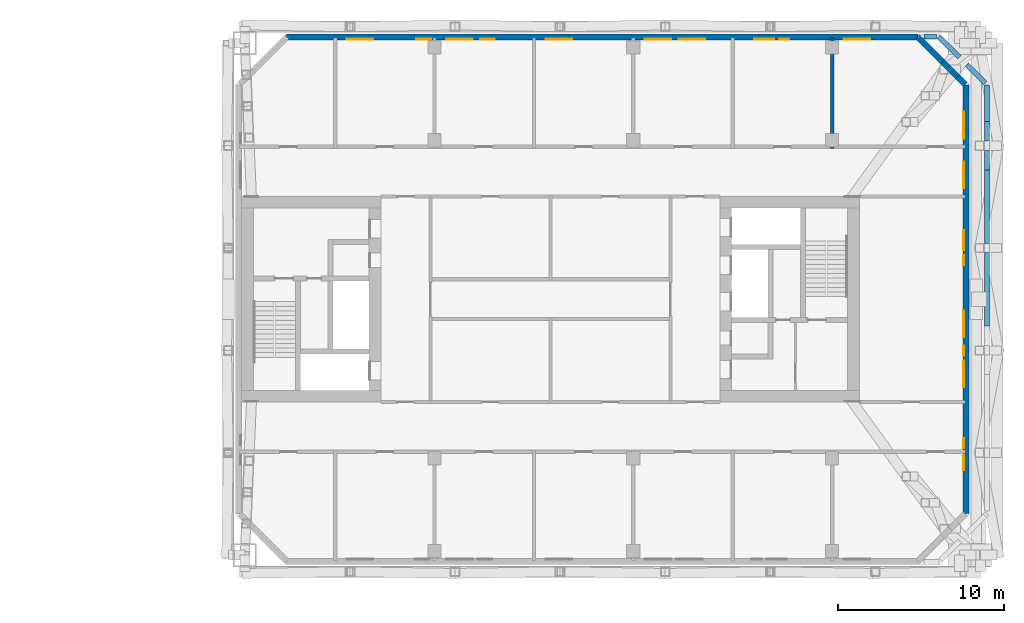
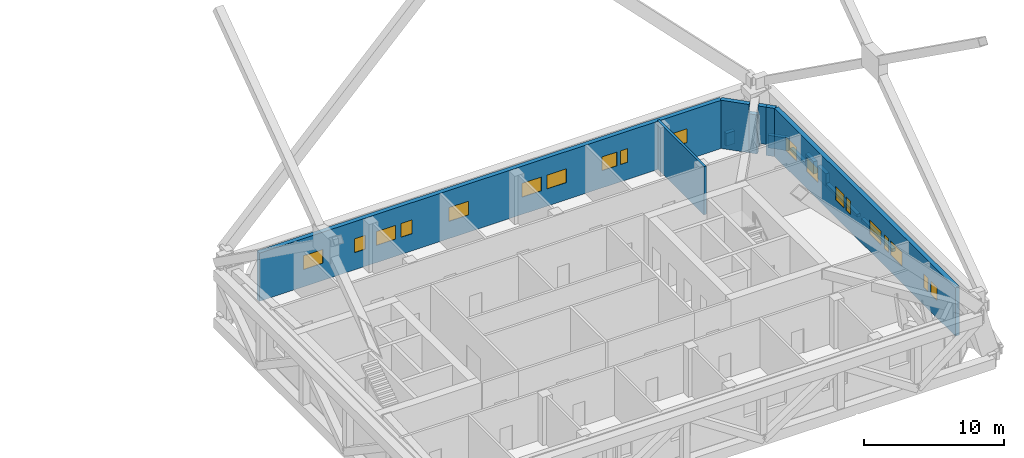
# One storey, part 14 of 20: 19 windows, 15 walls, 19 openings.
"""IFC4 building model written with IfcOpenShell, lengths in metres."""

from ifc_helpers import new_model, si_unit, direction, frame, frame_2d, origin, place, context, subcontext, project, spatial, rectangle, extrude, material, layer, layer_set, type_object, element, fill, save


model = new_model("IFC4")

# Units and contexts
model_context = context("Model", 3, precision=1e-05, world=origin(), true_north=direction((0.0, 1.0)))
body_context = subcontext(model_context, "Body", "Model", "MODEL_VIEW")
ifc_project = project(units=[si_unit("LENGTHUNIT", "METRE"), si_unit("AREAUNIT", "SQUARE_METRE"), si_unit("VOLUMEUNIT", "CUBIC_METRE"), si_unit("PLANEANGLEUNIT", "RADIAN"), si_unit("MASSUNIT", "GRAM", prefix="KILO")], contexts=[model_context])

# Site, building, storey
site_placement = place(None, origin())
site = spatial("IfcSite", under=ifc_project, at=site_placement, CompositionType="ELEMENT")
building_placement = place(site_placement, origin())
building = spatial("IfcBuilding", under=site, at=building_placement, Name="Tuart Gate Housing", CompositionType="ELEMENT")
storey_placement = place(building_placement, frame((0.0, 0.0, 62.89990234375)))
storey = spatial("IfcBuildingStorey", under=building, at=storey_placement, Name="L17", CompositionType="ELEMENT", Elevation=62.89990234375)

# Walls
ifc_material_1 = material(Name="Brick", Category="masonry")
ifc_layer_1 = layer(ifc_material_1, 0.300048828125)
ifc_layer_set_1 = layer_set([ifc_layer_1], Name="Brick parapet wall 300")
wall_type_1 = type_object("IfcWallType", Name="Brick parapet wall 300", PredefinedType="PARAPET", material=ifc_layer_set_1)
for number, where, z_axis, x_axis, name in (
    (1, (176.35009765625, 68.37890625, 0.0), (0.0, 0.0, 1.0), (0.0, 1.0, 0.0), "Roof parapet B 3"),
    (2, (176.35009765625, 73.373046875, 0.0), (0.0, 0.0, 1.0), (0.0, 1.0, 0.0), "Roof parapet B 3"),
):
    element("IfcWall", number, at=place(storey_placement, frame(where, z_axis=z_axis, x_axis=x_axis)), inside=storey, type_object=wall_type_1, Name=name, PredefinedType="PARAPET", context=body_context, shape_type="SweptSolid", body=[
        extrude(rectangle(XDim=4.427978515625, YDim=0.300048828125, at=frame_2d((2.2138671875, 0.0))), origin(), (0.0, 0.0, 1.0), 0.260009765625),
    ])
for number, where, z_axis, x_axis, name in (
    (3, (176.35009765625, 77.801025390625, 0.0), (0.0, 0.0, 1.0), (0.0, 1.0, 0.0), "Roof parapet B 3"),
    (4, (176.35009765625, 79.552978515625, 0.0), (0.0, 0.0, 1.0), (0.0, 1.0, 0.0), "Roof parapet B 3"),
):
    element("IfcWall", number, at=place(storey_placement, frame(where, z_axis=z_axis, x_axis=x_axis)), inside=storey, type_object=wall_type_1, Name=name, PredefinedType="PARAPET", context=body_context, shape_type="SweptSolid", body=[
        extrude(rectangle(XDim=1.18603515625, YDim=0.300048828125, at=frame_2d((0.593017578125, 0.0))), origin(), (0.0, 0.0, 1.0), 1.10009765625),
    ])
wall_1_placement = place(storey_placement, frame((176.35009765625, 80.739013671875, 0.0), z_axis=(0.0, 0.0, 1.0), x_axis=(0.0, 1.0, 0.0)))
element("IfcWall", 5, at=wall_1_placement, inside=storey, type_object=wall_type_1, Name="Roof parapet B 3", PredefinedType="PARAPET", context=body_context, shape_type="SweptSolid", body=[
    extrude(rectangle(XDim=2.198974609375, YDim=0.300048828125, at=frame_2d((1.099609375, 0.0))), origin(), (0.0, 0.0, 1.0), 0.260009765625),
])
wall_2_placement = place(storey_placement, frame((176.242431640625, 83.04541015625, 0.0), z_axis=(0.0, 0.0, 1.0), x_axis=(-0.707106781187, 0.707106781187, 0.0)))
element("IfcWall", 6, at=wall_2_placement, inside=storey, type_object=wall_type_1, Name="Roof parapet B 4", PredefinedType="PARAPET", context=body_context, shape_type="SweptSolid", body=[
    extrude(rectangle(XDim=1.55810546875, YDim=0.300048828125, at=frame_2d((0.779052734375, 0.0))), origin(), (0.0, 0.0, 1.0), 1.10009765625),
])
wall_3_placement = place(storey_placement, frame((174.6923828125, 84.595458984375, 0.0), z_axis=(0.0, 0.0, 1.0), x_axis=(-0.707037973054, 0.707175582624, 0.0)))
element("IfcWall", 7, at=wall_3_placement, inside=storey, type_object=wall_type_1, Name="Roof parapet B 4", PredefinedType="PARAPET", context=body_context, shape_type="SweptSolid", body=[
    extrude(rectangle(XDim=1.774169921875, YDim=0.300048828125, at=frame_2d((0.88720703125, 0.0))), origin(), (0.0, 0.0, 1.0), 1.10009765625),
])
wall_4_placement = place(storey_placement, frame((173.285888671875, 85.85009765625, 0.0), z_axis=(0.0, 0.0, 1.0), x_axis=(-1.0, 0.0, 0.0)))
element("IfcWall", 8, at=wall_4_placement, inside=storey, type_object=wall_type_1, Name="Roof parapet B 5", PredefinedType="PARAPET", context=body_context, shape_type="SweptSolid", body=[
    extrude(rectangle(XDim=0.73583984375, YDim=0.300048828125, at=frame_2d((0.367919921875, 0.0))), origin(), (0.0, 0.0, 1.0), 1.10009765625),
])

# Wall, openings, windows
ifc_material_2 = material(Name="Brick", Category="masonry")
ifc_layer_2 = layer(ifc_material_2, 0.360107421875)
ifc_layer_set_2 = layer_set([ifc_layer_2], Name="Brick pier and spandrel wall 360")
wall_type_2 = type_object("IfcWallType", Name="Brick pier and spandrel wall 360", PredefinedType="STANDARD", material=ifc_layer_set_2)
wall_5_placement = place(storey_placement, frame((175.070068359375, 57.07470703125, 0.0), z_axis=(0.0, 0.0, 1.0), x_axis=(0.0, 1.0, 0.0)))
wall_5 = element("IfcWall", 9, at=wall_5_placement, inside=storey, type_object=wall_type_2, Name="External wall B-E L17", PredefinedType="STANDARD", context=body_context, shape_type="SweptSolid", body=[
    extrude(rectangle(XDim=25.850830078125, YDim=0.360107421875, at=frame_2d((12.92529296875, 0.0))), origin(), (0.0, 0.0, 1.0), 4.2001953125),
])
opening_1_placement = place(wall_5_placement, frame((2.60009765625, 0.0, 1.5)))
opening_1 = element("IfcOpeningElement", 10, at=opening_1_placement, cuts=wall_5, Name="Opening W3B", PredefinedType="OPENING", context=body_context, shape_type="SweptSolid", body=[
    extrude(rectangle(XDim=0.89990234375, YDim=1.199951171875, at=frame_2d((0.449951171875, 0.60009765625))), frame((0.0, 0.18994140625, 0.0), z_axis=(0.0, -1.0, 0.0), x_axis=(1.0, 0.0, 0.0)), (0.0, 0.0, 1.0), 0.380126953125),
])
opening_2_placement = place(wall_5_placement, frame((3.92529296875, 0.0, 1.5)))
opening_2 = element("IfcOpeningElement", 11, at=opening_2_placement, cuts=wall_5, Name="Opening W3C", PredefinedType="OPENING", context=body_context, shape_type="SweptSolid", body=[
    extrude(rectangle(XDim=0.60009765625, YDim=1.199951171875, at=frame_2d((0.300048828125, 0.60009765625))), frame((0.0, 0.18994140625, 0.0), z_axis=(0.0, -1.0, 0.0), x_axis=(1.0, 0.0, 0.0)), (0.0, 0.0, 1.0), 0.380126953125),
])
opening_3_placement = place(wall_5_placement, frame((7.62548828125, 0.0, 1.5)))
opening_3 = element("IfcOpeningElement", 12, at=opening_3_placement, cuts=wall_5, Name="Opening W3", PredefinedType="OPENING", context=body_context, shape_type="SweptSolid", body=[
    extrude(rectangle(XDim=1.60009765625, YDim=1.199951171875, at=frame_2d((0.800048828125, 0.60009765625))), frame((0.0, 0.18994140625, 0.0), z_axis=(0.0, -1.0, 0.0), x_axis=(1.0, 0.0, 0.0)), (0.0, 0.0, 1.0), 0.380126953125),
])
opening_4_placement = place(wall_5_placement, frame((10.62548828125, 0.0, 1.5)))
opening_4 = element("IfcOpeningElement", 13, at=opening_4_placement, cuts=wall_5, Name="Opening W3", PredefinedType="OPENING", context=body_context, shape_type="SweptSolid", body=[
    extrude(rectangle(XDim=1.60009765625, YDim=1.199951171875, at=frame_2d((0.800048828125, 0.60009765625))), frame((0.0, 0.18994140625, 0.0), z_axis=(0.0, -1.0, 0.0), x_axis=(1.0, 0.0, 0.0)), (0.0, 0.0, 1.0), 0.380126953125),
])
opening_5_placement = place(wall_5_placement, frame((9.525390625, 0.0, 1.5)))
opening_5 = element("IfcOpeningElement", 14, at=opening_5_placement, cuts=wall_5, Name="Opening W3C", PredefinedType="OPENING", context=body_context, shape_type="SweptSolid", body=[
    extrude(rectangle(XDim=0.60009765625, YDim=1.199951171875, at=frame_2d((0.300048828125, 0.60009765625))), frame((0.0, 0.18994140625, 0.0), z_axis=(0.0, -1.0, 0.0), x_axis=(1.0, 0.0, 0.0)), (0.0, 0.0, 1.0), 0.380126953125),
])
opening_6_placement = place(wall_5_placement, frame((14.975341796875, 0.0, 1.5)))
opening_6 = element("IfcOpeningElement", 15, at=opening_6_placement, cuts=wall_5, Name="Opening W3C", PredefinedType="OPENING", context=body_context, shape_type="SweptSolid", body=[
    extrude(rectangle(XDim=0.60009765625, YDim=1.199951171875, at=frame_2d((0.300048828125, 0.60009765625))), frame((0.0, 0.18994140625, 0.0), z_axis=(0.0, -1.0, 0.0), x_axis=(1.0, 0.0, 0.0)), (0.0, 0.0, 1.0), 0.380126953125),
])
opening_7_placement = place(wall_5_placement, frame((19.62548828125, 0.0, 1.5)))
opening_7 = element("IfcOpeningElement", 16, at=opening_7_placement, cuts=wall_5, Name="Opening W3", PredefinedType="OPENING", context=body_context, shape_type="SweptSolid", body=[
    extrude(rectangle(XDim=1.60009765625, YDim=1.199951171875, at=frame_2d((0.800048828125, 0.60009765625))), frame((0.0, 0.18994140625, 0.0), z_axis=(0.0, -1.0, 0.0), x_axis=(1.0, 0.0, 0.0)), (0.0, 0.0, 1.0), 0.380126953125),
])
opening_8_placement = place(wall_5_placement, frame((22.62548828125, 0.0, 1.5)))
opening_8 = element("IfcOpeningElement", 17, at=opening_8_placement, cuts=wall_5, Name="Opening W3", PredefinedType="OPENING", context=body_context, shape_type="SweptSolid", body=[
    extrude(rectangle(XDim=1.60009765625, YDim=1.199951171875, at=frame_2d((0.800048828125, 0.60009765625))), frame((0.0, 0.18994140625, 0.0), z_axis=(0.0, -1.0, 0.0), x_axis=(1.0, 0.0, 0.0)), (0.0, 0.0, 1.0), 0.380126953125),
])
opening_9_placement = place(wall_5_placement, frame((15.87548828125, 0.0, 1.5)))
opening_9 = element("IfcOpeningElement", 18, at=opening_9_placement, cuts=wall_5, Name="Opening W3A", PredefinedType="OPENING", context=body_context, shape_type="SweptSolid", body=[
    extrude(rectangle(XDim=1.199951171875, YDim=1.199951171875, at=frame_2d((0.60009765625, 0.60009765625))), frame((0.0, 0.18994140625, 0.0), z_axis=(0.0, -1.0, 0.0), x_axis=(1.0, 0.0, 0.0)), (0.0, 0.0, 1.0), 0.380126953125),
])
ifc_material_3 = material(Name="Aluminium louvre blades", Category="aluminium")
window_type_1 = type_object("IfcWindowType", Name="Louvre window 1200 x 1200", PartitioningType="DOUBLE_PANEL_HORIZONTAL", PredefinedType="WINDOW", material=ifc_material_3)
window_1_placement = place(opening_9_placement, origin())
window_1 = element("IfcWindow", 19, at=window_1_placement, inside=storey, type_object=window_type_1, Name="Louvre W3A", OverallHeight=1.199951171875, OverallWidth=1.199951171875, PartitioningType="DOUBLE_PANEL_HORIZONTAL", PredefinedType="WINDOW", context=body_context, shape_type="SweptSolid", body=[
    extrude(rectangle(XDim=1.199951171875, YDim=1.199951171875, at=frame_2d((0.60009765625, 0.60009765625))), frame((0.0, 0.150146484375, 0.0), z_axis=(0.0, -1.0, 0.0), x_axis=(1.0, 0.0, 0.0)), (0.0, 0.0, 1.0), 0.06005859375),
])
fill(opening_9, window_1)
ifc_material_4 = material(Name="Aluminium louvre blades", Category="aluminium")
window_type_2 = type_object("IfcWindowType", Name="Louvre window 1600 x 1200", PartitioningType="DOUBLE_PANEL_HORIZONTAL", PredefinedType="WINDOW", material=ifc_material_4)
window_2_placement = place(opening_3_placement, origin())
window_2 = element("IfcWindow", 20, at=window_2_placement, inside=storey, type_object=window_type_2, Name="Louvre W3", OverallHeight=1.199951171875, OverallWidth=1.60009765625, PartitioningType="DOUBLE_PANEL_HORIZONTAL", PredefinedType="WINDOW", context=body_context, shape_type="SweptSolid", body=[
    extrude(rectangle(XDim=1.60009765625, YDim=1.199951171875, at=frame_2d((0.800048828125, 0.60009765625))), frame((0.0, 0.150146484375, 0.0), z_axis=(0.0, -1.0, 0.0), x_axis=(1.0, 0.0, 0.0)), (0.0, 0.0, 1.0), 0.06005859375),
])
fill(opening_3, window_2)
window_3_placement = place(opening_4_placement, origin())
window_3 = element("IfcWindow", 21, at=window_3_placement, inside=storey, type_object=window_type_2, Name="Louvre W3", OverallHeight=1.199951171875, OverallWidth=1.60009765625, PartitioningType="DOUBLE_PANEL_HORIZONTAL", PredefinedType="WINDOW", context=body_context, shape_type="SweptSolid", body=[
    extrude(rectangle(XDim=1.60009765625, YDim=1.199951171875, at=frame_2d((0.800048828125, 0.60009765625))), frame((0.0, 0.150146484375, 0.0), z_axis=(0.0, -1.0, 0.0), x_axis=(1.0, 0.0, 0.0)), (0.0, 0.0, 1.0), 0.06005859375),
])
fill(opening_4, window_3)
window_4_placement = place(opening_7_placement, origin())
window_4 = element("IfcWindow", 22, at=window_4_placement, inside=storey, type_object=window_type_2, Name="Louvre W3", OverallHeight=1.199951171875, OverallWidth=1.60009765625, PartitioningType="DOUBLE_PANEL_HORIZONTAL", PredefinedType="WINDOW", context=body_context, shape_type="SweptSolid", body=[
    extrude(rectangle(XDim=1.60009765625, YDim=1.199951171875, at=frame_2d((0.800048828125, 0.60009765625))), frame((0.0, 0.150146484375, 0.0), z_axis=(0.0, -1.0, 0.0), x_axis=(1.0, 0.0, 0.0)), (0.0, 0.0, 1.0), 0.06005859375),
])
fill(opening_7, window_4)
window_5_placement = place(opening_8_placement, origin())
window_5 = element("IfcWindow", 23, at=window_5_placement, inside=storey, type_object=window_type_2, Name="Louvre W3", OverallHeight=1.199951171875, OverallWidth=1.60009765625, PartitioningType="DOUBLE_PANEL_HORIZONTAL", PredefinedType="WINDOW", context=body_context, shape_type="SweptSolid", body=[
    extrude(rectangle(XDim=1.60009765625, YDim=1.199951171875, at=frame_2d((0.800048828125, 0.60009765625))), frame((0.0, 0.150146484375, 0.0), z_axis=(0.0, -1.0, 0.0), x_axis=(1.0, 0.0, 0.0)), (0.0, 0.0, 1.0), 0.06005859375),
])
fill(opening_8, window_5)
ifc_material_5 = material(Name="Aluminium louvre blades", Category="aluminium")
window_type_3 = type_object("IfcWindowType", Name="Louvre window 600 x 1200", PartitioningType="DOUBLE_PANEL_HORIZONTAL", PredefinedType="WINDOW", material=ifc_material_5)
window_6_placement = place(opening_2_placement, origin())
window_6 = element("IfcWindow", 24, at=window_6_placement, inside=storey, type_object=window_type_3, Name="Louvre W3C", OverallHeight=1.199951171875, OverallWidth=0.60009765625, PartitioningType="DOUBLE_PANEL_HORIZONTAL", PredefinedType="WINDOW", context=body_context, shape_type="SweptSolid", body=[
    extrude(rectangle(XDim=0.60009765625, YDim=1.199951171875, at=frame_2d((0.300048828125, 0.60009765625))), frame((0.0, 0.150146484375, 0.0), z_axis=(0.0, -1.0, 0.0), x_axis=(1.0, 0.0, 0.0)), (0.0, 0.0, 1.0), 0.06005859375),
])
fill(opening_2, window_6)
window_7_placement = place(opening_5_placement, origin())
window_7 = element("IfcWindow", 25, at=window_7_placement, inside=storey, type_object=window_type_3, Name="Louvre W3C", OverallHeight=1.199951171875, OverallWidth=0.60009765625, PartitioningType="DOUBLE_PANEL_HORIZONTAL", PredefinedType="WINDOW", context=body_context, shape_type="SweptSolid", body=[
    extrude(rectangle(XDim=0.60009765625, YDim=1.199951171875, at=frame_2d((0.300048828125, 0.60009765625))), frame((0.0, 0.150146484375, 0.0), z_axis=(0.0, -1.0, 0.0), x_axis=(1.0, 0.0, 0.0)), (0.0, 0.0, 1.0), 0.06005859375),
])
fill(opening_5, window_7)
window_8_placement = place(opening_6_placement, origin())
window_8 = element("IfcWindow", 26, at=window_8_placement, inside=storey, type_object=window_type_3, Name="Louvre W3C", OverallHeight=1.199951171875, OverallWidth=0.60009765625, PartitioningType="DOUBLE_PANEL_HORIZONTAL", PredefinedType="WINDOW", context=body_context, shape_type="SweptSolid", body=[
    extrude(rectangle(XDim=0.60009765625, YDim=1.199951171875, at=frame_2d((0.300048828125, 0.60009765625))), frame((0.0, 0.150146484375, 0.0), z_axis=(0.0, -1.0, 0.0), x_axis=(1.0, 0.0, 0.0)), (0.0, 0.0, 1.0), 0.06005859375),
])
fill(opening_6, window_8)
ifc_material_6 = material(Name="Aluminium louvre blades", Category="aluminium")
window_type_4 = type_object("IfcWindowType", Name="Louvre window 900 x 1200", PartitioningType="DOUBLE_PANEL_HORIZONTAL", PredefinedType="WINDOW", material=ifc_material_6)
window_9_placement = place(opening_1_placement, origin())
window_9 = element("IfcWindow", 27, at=window_9_placement, inside=storey, type_object=window_type_4, Name="Louvre W3B", OverallHeight=1.199951171875, OverallWidth=0.89990234375, PartitioningType="DOUBLE_PANEL_HORIZONTAL", PredefinedType="WINDOW", context=body_context, shape_type="SweptSolid", body=[
    extrude(rectangle(XDim=0.89990234375, YDim=1.199951171875, at=frame_2d((0.449951171875, 0.60009765625))), frame((0.0, 0.150146484375, 0.0), z_axis=(0.0, -1.0, 0.0), x_axis=(1.0, 0.0, 0.0)), (0.0, 0.0, 1.0), 0.06005859375),
])
fill(opening_1, window_9)

# Walls
wall_6_placement = place(storey_placement, frame((175.03466796875, 82.960693359375, 0.0), z_axis=(0.0, 0.0, 1.0), x_axis=(-0.707106781187, 0.707106781187, 0.0)))
element("IfcWall", 28, at=wall_6_placement, inside=storey, type_object=wall_type_2, Name="External wall B-NE L17", PredefinedType="STANDARD", context=body_context, shape_type="SweptSolid", body=[
    extrude(rectangle(XDim=0.66943359375, YDim=0.360107421875, at=frame_2d((0.334716796875, 0.0))), origin(), (0.0, 0.0, 1.0), 4.2001953125),
])
wall_7_placement = place(storey_placement, frame((174.561279296875, 83.43408203125, 0.953125), z_axis=(0.0, 0.0, 1.0), x_axis=(-0.706900055054, 0.707313446899, 0.0)))
element("IfcWall", 29, at=wall_7_placement, inside=storey, type_object=wall_type_2, Name="External wall B-NE L17", PredefinedType="STANDARD", context=body_context, shape_type="SweptSolid", body=[
    extrude(rectangle(XDim=0.590576171875, YDim=0.360107421875, at=frame_2d((0.29541015625, 0.0))), origin(), (0.0, 0.0, 1.0), 3.2470703125),
])
wall_8_placement = place(storey_placement, frame((174.109619140625, 83.8857421875, 0.0), z_axis=(0.0, 0.0, 1.0), x_axis=(-0.707106781187, 0.707106781187, 0.0)))
element("IfcWall", 30, at=wall_8_placement, inside=storey, type_object=wall_type_2, Name="External wall B-NE L17", PredefinedType="STANDARD", context=body_context, shape_type="SweptSolid", body=[
    extrude(rectangle(XDim=0.61328125, YDim=0.360107421875, at=frame_2d((0.306640625, 0.0))), origin(), (0.0, 0.0, 1.0), 3.397216796875),
])
wall_9_placement = place(storey_placement, frame((173.676025390625, 84.3193359375, 0.0), z_axis=(0.0, 0.0, 1.0), x_axis=(-0.707106781187, 0.707106781187, 0.0)))
element("IfcWall", 31, at=wall_9_placement, inside=storey, type_object=wall_type_2, Name="External wall B-NE L17", PredefinedType="STANDARD", context=body_context, shape_type="SweptSolid", body=[
    extrude(rectangle(XDim=2.122314453125, YDim=0.360107421875, at=frame_2d((1.06103515625, 0.0))), origin(), (0.0, 0.0, 1.0), 4.2001953125),
])

# Wall, openings, windows
wall_10_placement = place(storey_placement, frame((172.17529296875, 85.820068359375, 0.0), z_axis=(0.0, 0.0, 1.0), x_axis=(-1.0, 0.0, 0.0)))
wall_10 = element("IfcWall", 32, at=wall_10_placement, inside=storey, type_object=wall_type_2, Name="External wall B-N L17", PredefinedType="STANDARD", context=body_context, shape_type="SweptSolid", body=[
    extrude(rectangle(XDim=38.100830078125, YDim=0.360107421875, at=frame_2d((19.05029296875, 0.0))), origin(), (0.0, 0.0, 1.0), 4.2001953125),
])
opening_10_placement = place(wall_10_placement, frame((2.87548828125, 0.0, 1.5)))
opening_10 = element("IfcOpeningElement", 33, at=opening_10_placement, cuts=wall_10, Name="Opening W3", PredefinedType="OPENING", context=body_context, shape_type="SweptSolid", body=[
    extrude(rectangle(XDim=1.60009765625, YDim=1.199951171875, at=frame_2d((0.800048828125, 0.60009765625))), frame((0.0, 0.18994140625, 0.0), z_axis=(0.0, -1.0, 0.0), x_axis=(1.0, 0.0, 0.0)), (0.0, 0.0, 1.0), 0.380126953125),
])
opening_11_placement = place(wall_10_placement, frame((7.775390625, 0.0, 1.5)))
opening_11 = element("IfcOpeningElement", 34, at=opening_11_placement, cuts=wall_10, Name="Opening W3C", PredefinedType="OPENING", context=body_context, shape_type="SweptSolid", body=[
    extrude(rectangle(XDim=0.60009765625, YDim=1.199951171875, at=frame_2d((0.300048828125, 0.60009765625))), frame((0.0, 0.18994140625, 0.0), z_axis=(0.0, -1.0, 0.0), x_axis=(1.0, 0.0, 0.0)), (0.0, 0.0, 1.0), 0.380126953125),
])
opening_12_placement = place(wall_10_placement, frame((8.67529296875, 0.0, 1.5)))
opening_12 = element("IfcOpeningElement", 35, at=opening_12_placement, cuts=wall_10, Name="Opening W3A", PredefinedType="OPENING", context=body_context, shape_type="SweptSolid", body=[
    extrude(rectangle(XDim=1.199951171875, YDim=1.199951171875, at=frame_2d((0.60009765625, 0.60009765625))), frame((0.0, 0.18994140625, 0.0), z_axis=(0.0, -1.0, 0.0), x_axis=(1.0, 0.0, 0.0)), (0.0, 0.0, 1.0), 0.380126953125),
])
opening_13_placement = place(wall_10_placement, frame((12.825439453125, 0.0, 1.5)))
opening_13 = element("IfcOpeningElement", 36, at=opening_13_placement, cuts=wall_10, Name="Opening W3", PredefinedType="OPENING", context=body_context, shape_type="SweptSolid", body=[
    extrude(rectangle(XDim=1.60009765625, YDim=1.199951171875, at=frame_2d((0.800048828125, 0.60009765625))), frame((0.0, 0.18994140625, 0.0), z_axis=(0.0, -1.0, 0.0), x_axis=(1.0, 0.0, 0.0)), (0.0, 0.0, 1.0), 0.380126953125),
])
opening_14_placement = place(wall_10_placement, frame((14.87548828125, 0.0, 1.5)))
opening_14 = element("IfcOpeningElement", 37, at=opening_14_placement, cuts=wall_10, Name="Opening W3", PredefinedType="OPENING", context=body_context, shape_type="SweptSolid", body=[
    extrude(rectangle(XDim=1.60009765625, YDim=1.199951171875, at=frame_2d((0.800048828125, 0.60009765625))), frame((0.0, 0.18994140625, 0.0), z_axis=(0.0, -1.0, 0.0), x_axis=(1.0, 0.0, 0.0)), (0.0, 0.0, 1.0), 0.380126953125),
])
opening_15_placement = place(wall_10_placement, frame((20.87548828125, 0.0, 1.5)))
opening_15 = element("IfcOpeningElement", 38, at=opening_15_placement, cuts=wall_10, Name="Opening W3", PredefinedType="OPENING", context=body_context, shape_type="SweptSolid", body=[
    extrude(rectangle(XDim=1.60009765625, YDim=1.199951171875, at=frame_2d((0.800048828125, 0.60009765625))), frame((0.0, 0.18994140625, 0.0), z_axis=(0.0, -1.0, 0.0), x_axis=(1.0, 0.0, 0.0)), (0.0, 0.0, 1.0), 0.380126953125),
])
opening_16_placement = place(wall_10_placement, frame((25.525390625, 0.0, 1.5)))
opening_16 = element("IfcOpeningElement", 39, at=opening_16_placement, cuts=wall_10, Name="Opening W3B", PredefinedType="OPENING", context=body_context, shape_type="SweptSolid", body=[
    extrude(rectangle(XDim=0.89990234375, YDim=1.199951171875, at=frame_2d((0.449951171875, 0.60009765625))), frame((0.0, 0.18994140625, 0.0), z_axis=(0.0, -1.0, 0.0), x_axis=(1.0, 0.0, 0.0)), (0.0, 0.0, 1.0), 0.380126953125),
])
opening_17_placement = place(wall_10_placement, frame((26.87548828125, 0.0, 1.5)))
opening_17 = element("IfcOpeningElement", 40, at=opening_17_placement, cuts=wall_10, Name="Opening W3", PredefinedType="OPENING", context=body_context, shape_type="SweptSolid", body=[
    extrude(rectangle(XDim=1.60009765625, YDim=1.199951171875, at=frame_2d((0.800048828125, 0.60009765625))), frame((0.0, 0.18994140625, 0.0), z_axis=(0.0, -1.0, 0.0), x_axis=(1.0, 0.0, 0.0)), (0.0, 0.0, 1.0), 0.380126953125),
])
opening_18_placement = place(wall_10_placement, frame((29.37548828125, 0.0, 1.5)))
opening_18 = element("IfcOpeningElement", 41, at=opening_18_placement, cuts=wall_10, Name="Opening W3B", PredefinedType="OPENING", context=body_context, shape_type="SweptSolid", body=[
    extrude(rectangle(XDim=0.89990234375, YDim=1.199951171875, at=frame_2d((0.449951171875, 0.60009765625))), frame((0.0, 0.18994140625, 0.0), z_axis=(0.0, -1.0, 0.0), x_axis=(1.0, 0.0, 0.0)), (0.0, 0.0, 1.0), 0.380126953125),
])
opening_19_placement = place(wall_10_placement, frame((32.87548828125, 0.0, 1.5)))
opening_19 = element("IfcOpeningElement", 42, at=opening_19_placement, cuts=wall_10, Name="Opening W3", PredefinedType="OPENING", context=body_context, shape_type="SweptSolid", body=[
    extrude(rectangle(XDim=1.60009765625, YDim=1.199951171875, at=frame_2d((0.800048828125, 0.60009765625))), frame((0.0, 0.18994140625, 0.0), z_axis=(0.0, -1.0, 0.0), x_axis=(1.0, 0.0, 0.0)), (0.0, 0.0, 1.0), 0.380126953125),
])
window_10_placement = place(opening_12_placement, origin())
window_10 = element("IfcWindow", 43, at=window_10_placement, inside=storey, type_object=window_type_1, Name="Louvre W3A", OverallHeight=1.199951171875, OverallWidth=1.199951171875, PartitioningType="DOUBLE_PANEL_HORIZONTAL", PredefinedType="WINDOW", context=body_context, shape_type="SweptSolid", body=[
    extrude(rectangle(XDim=1.199951171875, YDim=1.199951171875, at=frame_2d((0.60009765625, 0.60009765625))), frame((0.0, 0.150146484375, 0.0), z_axis=(0.0, -1.0, 0.0), x_axis=(1.0, 0.0, 0.0)), (0.0, 0.0, 1.0), 0.06005859375),
])
fill(opening_12, window_10)
window_11_placement = place(opening_10_placement, origin())
window_11 = element("IfcWindow", 44, at=window_11_placement, inside=storey, type_object=window_type_2, Name="Louvre W3", OverallHeight=1.199951171875, OverallWidth=1.60009765625, PartitioningType="DOUBLE_PANEL_HORIZONTAL", PredefinedType="WINDOW", context=body_context, shape_type="SweptSolid", body=[
    extrude(rectangle(XDim=1.60009765625, YDim=1.199951171875, at=frame_2d((0.800048828125, 0.60009765625))), frame((0.0, 0.150146484375, 0.0), z_axis=(0.0, -1.0, 0.0), x_axis=(1.0, 0.0, 0.0)), (0.0, 0.0, 1.0), 0.06005859375),
])
fill(opening_10, window_11)
window_12_placement = place(opening_13_placement, origin())
window_12 = element("IfcWindow", 45, at=window_12_placement, inside=storey, type_object=window_type_2, Name="Louvre W3", OverallHeight=1.199951171875, OverallWidth=1.60009765625, PartitioningType="DOUBLE_PANEL_HORIZONTAL", PredefinedType="WINDOW", context=body_context, shape_type="SweptSolid", body=[
    extrude(rectangle(XDim=1.60009765625, YDim=1.199951171875, at=frame_2d((0.800048828125, 0.60009765625))), frame((0.0, 0.150146484375, 0.0), z_axis=(0.0, -1.0, 0.0), x_axis=(1.0, 0.0, 0.0)), (0.0, 0.0, 1.0), 0.06005859375),
])
fill(opening_13, window_12)
window_13_placement = place(opening_14_placement, origin())
window_13 = element("IfcWindow", 46, at=window_13_placement, inside=storey, type_object=window_type_2, Name="Louvre W3", OverallHeight=1.199951171875, OverallWidth=1.60009765625, PartitioningType="DOUBLE_PANEL_HORIZONTAL", PredefinedType="WINDOW", context=body_context, shape_type="SweptSolid", body=[
    extrude(rectangle(XDim=1.60009765625, YDim=1.199951171875, at=frame_2d((0.800048828125, 0.60009765625))), frame((0.0, 0.150146484375, 0.0), z_axis=(0.0, -1.0, 0.0), x_axis=(1.0, 0.0, 0.0)), (0.0, 0.0, 1.0), 0.06005859375),
])
fill(opening_14, window_13)
window_14_placement = place(opening_15_placement, origin())
window_14 = element("IfcWindow", 47, at=window_14_placement, inside=storey, type_object=window_type_2, Name="Louvre W3", OverallHeight=1.199951171875, OverallWidth=1.60009765625, PartitioningType="DOUBLE_PANEL_HORIZONTAL", PredefinedType="WINDOW", context=body_context, shape_type="SweptSolid", body=[
    extrude(rectangle(XDim=1.60009765625, YDim=1.199951171875, at=frame_2d((0.800048828125, 0.60009765625))), frame((0.0, 0.150146484375, 0.0), z_axis=(0.0, -1.0, 0.0), x_axis=(1.0, 0.0, 0.0)), (0.0, 0.0, 1.0), 0.06005859375),
])
fill(opening_15, window_14)
window_15_placement = place(opening_17_placement, origin())
window_15 = element("IfcWindow", 48, at=window_15_placement, inside=storey, type_object=window_type_2, Name="Louvre W3", OverallHeight=1.199951171875, OverallWidth=1.60009765625, PartitioningType="DOUBLE_PANEL_HORIZONTAL", PredefinedType="WINDOW", context=body_context, shape_type="SweptSolid", body=[
    extrude(rectangle(XDim=1.60009765625, YDim=1.199951171875, at=frame_2d((0.800048828125, 0.60009765625))), frame((0.0, 0.150146484375, 0.0), z_axis=(0.0, -1.0, 0.0), x_axis=(1.0, 0.0, 0.0)), (0.0, 0.0, 1.0), 0.06005859375),
])
fill(opening_17, window_15)
window_16_placement = place(opening_19_placement, origin())
window_16 = element("IfcWindow", 49, at=window_16_placement, inside=storey, type_object=window_type_2, Name="Louvre W3", OverallHeight=1.199951171875, OverallWidth=1.60009765625, PartitioningType="DOUBLE_PANEL_HORIZONTAL", PredefinedType="WINDOW", context=body_context, shape_type="SweptSolid", body=[
    extrude(rectangle(XDim=1.60009765625, YDim=1.199951171875, at=frame_2d((0.800048828125, 0.60009765625))), frame((0.0, 0.150146484375, 0.0), z_axis=(0.0, -1.0, 0.0), x_axis=(1.0, 0.0, 0.0)), (0.0, 0.0, 1.0), 0.06005859375),
])
fill(opening_19, window_16)
window_17_placement = place(opening_11_placement, origin())
window_17 = element("IfcWindow", 50, at=window_17_placement, inside=storey, type_object=window_type_3, Name="Louvre W3C", OverallHeight=1.199951171875, OverallWidth=0.60009765625, PartitioningType="DOUBLE_PANEL_HORIZONTAL", PredefinedType="WINDOW", context=body_context, shape_type="SweptSolid", body=[
    extrude(rectangle(XDim=0.60009765625, YDim=1.199951171875, at=frame_2d((0.300048828125, 0.60009765625))), frame((0.0, 0.150146484375, 0.0), z_axis=(0.0, -1.0, 0.0), x_axis=(1.0, 0.0, 0.0)), (0.0, 0.0, 1.0), 0.06005859375),
])
fill(opening_11, window_17)
window_18_placement = place(opening_16_placement, origin())
window_18 = element("IfcWindow", 51, at=window_18_placement, inside=storey, type_object=window_type_4, Name="Louvre W3B", OverallHeight=1.199951171875, OverallWidth=0.89990234375, PartitioningType="DOUBLE_PANEL_HORIZONTAL", PredefinedType="WINDOW", context=body_context, shape_type="SweptSolid", body=[
    extrude(rectangle(XDim=0.89990234375, YDim=1.199951171875, at=frame_2d((0.449951171875, 0.60009765625))), frame((0.0, 0.150146484375, 0.0), z_axis=(0.0, -1.0, 0.0), x_axis=(1.0, 0.0, 0.0)), (0.0, 0.0, 1.0), 0.06005859375),
])
fill(opening_16, window_18)
window_19_placement = place(opening_18_placement, origin())
window_19 = element("IfcWindow", 52, at=window_19_placement, inside=storey, type_object=window_type_4, Name="Louvre W3B", OverallHeight=1.199951171875, OverallWidth=0.89990234375, PartitioningType="DOUBLE_PANEL_HORIZONTAL", PredefinedType="WINDOW", context=body_context, shape_type="SweptSolid", body=[
    extrude(rectangle(XDim=0.89990234375, YDim=1.199951171875, at=frame_2d((0.449951171875, 0.60009765625))), frame((0.0, 0.150146484375, 0.0), z_axis=(0.0, -1.0, 0.0), x_axis=(1.0, 0.0, 0.0)), (0.0, 0.0, 1.0), 0.06005859375),
])
fill(opening_18, window_19)

# Wall
ifc_material_7 = material(Name="Concrete masonry 15 MPa", Category="masonry")
ifc_layer_3 = layer(ifc_material_7, 0.199951171875)
ifc_layer_set_3 = layer_set([ifc_layer_3], Name="Enclosure wall masonry 200")
wall_type_3 = type_object("IfcWallType", Name="Enclosure wall masonry 200", PredefinedType="PARTITIONING", material=ifc_layer_set_3)
wall_11_placement = place(storey_placement, frame((167.0, 79.10009765625, 0.0), z_axis=(0.0, 0.0, 1.0), x_axis=(0.0, 1.0, 0.0)))
element("IfcWall", 53, at=wall_11_placement, inside=storey, type_object=wall_type_3, Name="Enclosure wall masonry 200", PredefinedType="PARTITIONING", context=body_context, shape_type="SweptSolid", body=[
    extrude(rectangle(XDim=6.659912109375, YDim=0.199951171875, at=frame_2d((3.330078125, 0.0))), origin(), (0.0, 0.0, 1.0), 4.2001953125),
])

save(model, "model.ifc")
